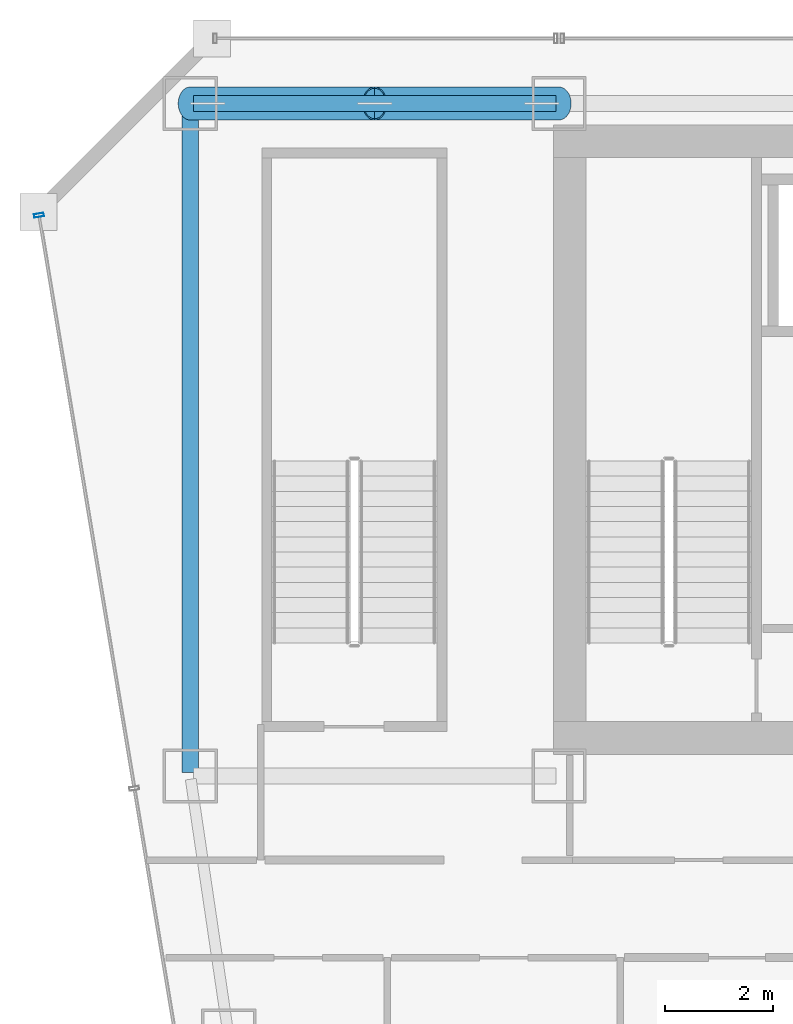
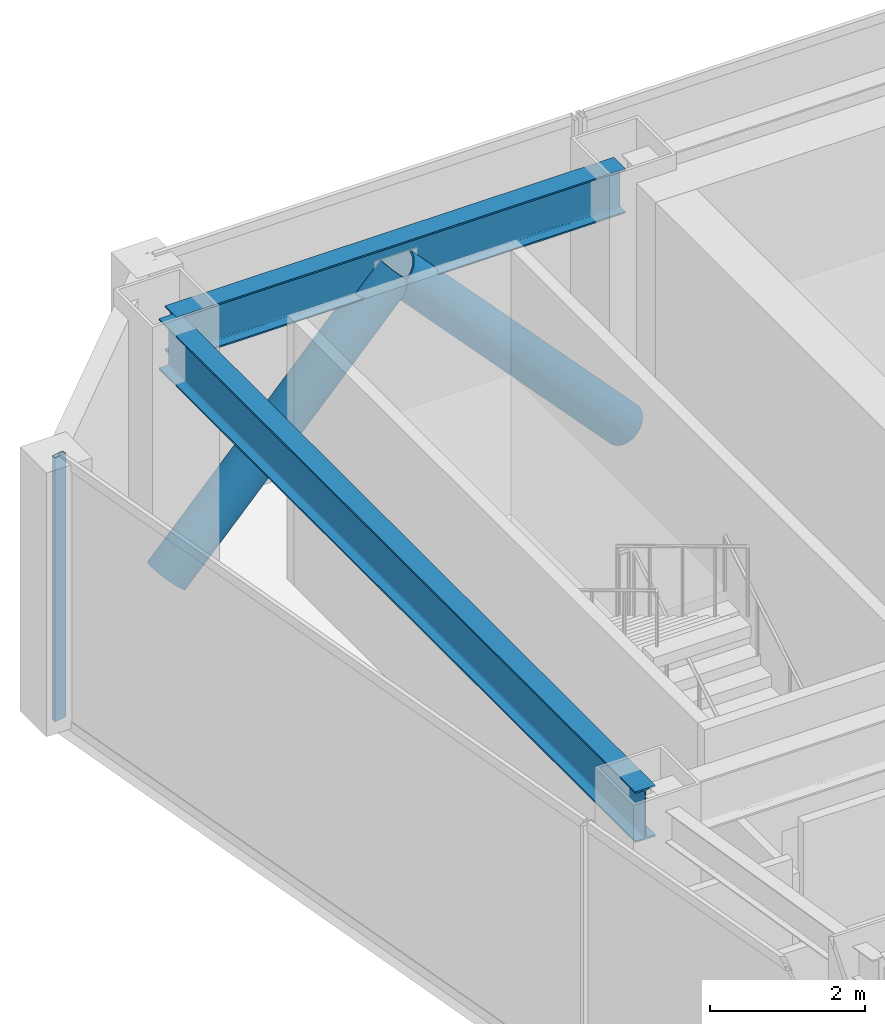
# One storey, part 21 of 37: 3 members, 2 beams, 1 element without a shape of its own.
"""IFC4 building model written with IfcOpenShell, lengths in metres."""

import ifcopenshell
import ifcopenshell.guid

model = None  # the IFC model being written
_history = None  # IfcOwnerHistory: only IFC2X3 demands one
_inside = {}  # id of a spatial element -> (the spatial element, [elements in it])
_under = {}  # id of a project, library or spatial element -> (it, [spatial elements below it])
_declared = {}  # id of a project -> (the project, [libraries it declares])
_typed = {}  # id of a type object -> (the type object, [elements of that type])
_made_of = {}  # id of a material, layer set ... -> (it, [elements and type objects made of it])


def new_model(schema):
    """Start an empty IFC model of exactly this schema.

    Asked for "IFC4X3", IfcOpenShell would pick the latest addendum, in which some entities
    have other attributes; the version numbers below select the first issue.
    IFC2X3 requires an IfcOwnerHistory on every rooted entity: one is made here for all.
    """
    global model, _history
    if schema == "IFC4X3":
        model = ifcopenshell.file(schema_version=(4, 3, 0, 0))
    else:
        model = ifcopenshell.file(schema=schema)
    _inside.clear()
    _under.clear()
    _declared.clear()
    _typed.clear()
    _made_of.clear()
    _history = None
    if model.schema == "IFC2X3":
        org = make("IfcOrganization", Name="unknown")
        user = make(
            "IfcPersonAndOrganization",
            ThePerson=make("IfcPerson", FamilyName="unknown"),
            TheOrganization=org,
        )
        app = make(
            "IfcApplication",
            ApplicationDeveloper=org,
            Version="unknown",
            ApplicationFullName="unknown",
            ApplicationIdentifier="unknown",
        )
        _history = make(
            "IfcOwnerHistory",
            OwningUser=user,
            OwningApplication=app,
            ChangeAction="ADDED",
            CreationDate=0,
        )
    return model


def make(cls, **values):
    """One entity of the class cls with the attributes given. An attribute that is None is left unset."""
    return model.create_entity(
        cls, **{name: value for name, value in values.items() if value is not None}
    )


def rooted(cls, **values):
    """An entity with a GlobalId (a new one), such as an element, a storey or a relation."""
    return make(cls, GlobalId=ifcopenshell.guid.new(), OwnerHistory=_history, **values)


def si_unit(unit_type, name, prefix=None):
    """IfcSIUnit, for example si_unit("LENGTHUNIT", "METRE", prefix="MILLI")."""
    return make("IfcSIUnit", UnitType=unit_type, Prefix=prefix, Name=name)


def assignment(units):
    """IfcUnitAssignment: the units of a project."""
    return None if units is None else make("IfcUnitAssignment", Units=units)


def point(xyz):
    """IfcCartesianPoint."""
    return None if xyz is None else make("IfcCartesianPoint", Coordinates=xyz)


def direction(xyz):
    """IfcDirection."""
    return None if xyz is None else make("IfcDirection", DirectionRatios=xyz)


def frame(location, z_axis=None, x_axis=None):
    """IfcAxis2Placement3D, a coordinate frame: its origin and axes. An axis left out is left unset."""
    return make(
        "IfcAxis2Placement3D",
        Location=point(location),
        Axis=direction(z_axis),
        RefDirection=direction(x_axis),
    )


def frame_2d(location, x_axis=None):
    """IfcAxis2Placement2D, a coordinate frame in the plane: its origin and x axis."""
    return make(
        "IfcAxis2Placement2D", Location=point(location), RefDirection=direction(x_axis)
    )


def origin():
    """The frame at (0, 0, 0) with its axes left unset."""
    return frame((0.0, 0.0, 0.0))


def origin_2d():
    """The frame at (0, 0) in the plane with its x axis left unset."""
    return frame_2d((0.0, 0.0))


def place(relative_to, where):
    """IfcLocalPlacement: puts the frame where relative to a parent placement (None: the world)."""
    return make(
        "IfcLocalPlacement", PlacementRelTo=relative_to, RelativePlacement=where
    )


def context(
    kind, dimensions, precision=None, world=None, true_north=None, identifier=None
):
    """IfcGeometricRepresentationContext, for example the 3D "Model" context."""
    return make(
        "IfcGeometricRepresentationContext",
        ContextIdentifier=identifier,
        ContextType=kind,
        CoordinateSpaceDimension=dimensions,
        Precision=precision,
        WorldCoordinateSystem=world,
        TrueNorth=true_north,
    )


def subcontext(parent, identifier, kind, view, scale=None):
    """IfcGeometricRepresentationSubContext, for example "Body" below "Model"."""
    return make(
        "IfcGeometricRepresentationSubContext",
        ContextIdentifier=identifier,
        ContextType=kind,
        ParentContext=parent,
        TargetScale=scale,
        TargetView=view,
    )


def project(units=None, contexts=None):
    """IfcProject with its units and contexts."""
    return rooted(
        "IfcProject",
        Name="project",
        RepresentationContexts=contexts,
        UnitsInContext=assignment(units),
    )


def spatial(cls, under=None, at=None, **own):
    """A site, building, storey or space (cls), placed at a placement, below another one or the project."""
    s = rooted(cls, ObjectPlacement=at, **own)
    if under is not None:
        _under.setdefault(under.id(), (under, []))[1].append(s)
    return s


def profile(cls, at=None, kind="AREA", **sizes):
    """A parametric profile (cls). Its sizes go by their IFC names, for example OverallWidth=200.0."""
    return make(cls, ProfileType=kind, Position=at, **sizes)


def hollow_rectangle(**sizes):
    """IfcRectangleHollowProfileDef."""
    return profile("IfcRectangleHollowProfileDef", **sizes)


def hollow_circle(**sizes):
    """IfcCircleHollowProfileDef."""
    return profile("IfcCircleHollowProfileDef", **sizes)


def i_section(**sizes):
    """IfcIShapeProfileDef."""
    return profile("IfcIShapeProfileDef", **sizes)


def extrude(swept, where, along, depth):
    """IfcExtrudedAreaSolid: the profile swept, set in the frame where, extruded along a direction by depth."""
    return make(
        "IfcExtrudedAreaSolid",
        SweptArea=swept,
        Position=where,
        ExtrudedDirection=direction(along),
        Depth=depth,
    )


def shape(context_of_items, identifier, shape_type, items):
    """IfcShapeRepresentation: the items that make up one representation, for example the "Body"."""
    return make(
        "IfcShapeRepresentation",
        ContextOfItems=context_of_items,
        RepresentationIdentifier=identifier,
        RepresentationType=shape_type,
        Items=items,
    )


def material(Name=None, Category=None):
    """IfcMaterial."""
    return make("IfcMaterial", Name=Name, Category=Category)


def material_profile(
    of_material, cross_section, Name=None, Category=None, Priority=None
):
    """IfcMaterialProfile: a cross section and its material."""
    return make(
        "IfcMaterialProfile",
        Name=Name,
        Material=of_material,
        Profile=cross_section,
        Priority=Priority,
        Category=Category,
    )


def profile_set(profiles, Name=None, composite=None):
    """IfcMaterialProfileSet."""
    return make(
        "IfcMaterialProfileSet",
        Name=Name,
        MaterialProfiles=profiles,
        CompositeProfile=composite,
    )


def made_of(thing, what):
    """Note that an element or type object is made of a material, layer set ...; save() writes the relation."""
    if what is not None:
        _made_of.setdefault(what.id(), (what, []))[1].append(thing)
    return thing


def type_object(cls, material=None, **own):
    """A type object (cls), such as IfcWallType, which elements share."""
    return made_of(rooted(cls, **own), material)


def element(
    cls,
    number,
    at=None,
    inside=None,
    cuts=None,
    type_object=None,
    material=None,
    context=None,
    identifier="Body",
    shape_type=None,
    held_by="IfcProductDefinitionShape",
    body=None,
    shapes=None,
    **own,
):
    """One element of the class cls, such as IfcWall. Its Tag is "e" and its number.

    at: its placement. inside: the storey or other place that contains it. cuts: it is an
    opening in that element (IfcRelVoidsElement). A single representation is given by context,
    identifier, shape_type and body (its items); several are given by shapes. held_by: the class
    of the entity that holds the representations. save() writes the other relations.
    """
    e = rooted(cls, Tag="e%d" % number, ObjectPlacement=at, **own)
    if body is not None:
        shapes = [shape(context, identifier, shape_type, body)]
    if shapes is not None:
        e.Representation = make(held_by, Representations=shapes)
    if inside is not None:
        _inside.setdefault(inside.id(), (inside, []))[1].append(e)
    if cuts is not None:
        rooted(
            "IfcRelVoidsElement", RelatingBuildingElement=cuts, RelatedOpeningElement=e
        )
    if type_object is not None:
        _typed.setdefault(type_object.id(), (type_object, []))[1].append(e)
    return made_of(e, material)


def aggregate(whole, parts):
    """IfcRelAggregates: a whole, such as a stair, and the parts it consists of."""
    return rooted("IfcRelAggregates", RelatingObject=whole, RelatedObjects=parts)


def save(model, path):
    """Write the relations noted so far, then the file.

    IfcRelAggregates (storeys below a building ...), IfcRelContainedInSpatialStructure (elements
    in a storey), IfcRelDefinesByType, IfcRelAssociatesMaterial and IfcRelDeclares: one each for
    every whole, place, type object, material and project.
    """
    for whole, parts in _under.values():
        aggregate(whole, parts)
    for where, things in _inside.values():
        rooted(
            "IfcRelContainedInSpatialStructure",
            RelatedElements=things,
            RelatingStructure=where,
        )
    for kind, things in _typed.values():
        rooted("IfcRelDefinesByType", RelatedObjects=things, RelatingType=kind)
    for what, things in _made_of.values():
        rooted("IfcRelAssociatesMaterial", RelatedObjects=things, RelatingMaterial=what)
    for by, libraries in _declared.values():
        rooted("IfcRelDeclares", RelatingContext=by, RelatedDefinitions=libraries)
    model.write(path)


model = new_model("IFC4")

# Units and contexts
model_context = context("Model", 3, precision=1e-05, world=origin(), true_north=direction((0.0, 1.0)))
body_context = subcontext(model_context, "Body", "Model", "MODEL_VIEW")
ifc_project = project(units=[si_unit("LENGTHUNIT", "METRE"), si_unit("AREAUNIT", "SQUARE_METRE"), si_unit("VOLUMEUNIT", "CUBIC_METRE"), si_unit("PLANEANGLEUNIT", "RADIAN"), si_unit("MASSUNIT", "GRAM", prefix="KILO")], contexts=[model_context])

# Site, building, storey
site_placement = place(None, origin())
site = spatial("IfcSite", under=ifc_project, at=site_placement, CompositionType="ELEMENT")
building_placement = place(site_placement, origin())
building = spatial("IfcBuilding", under=site, at=building_placement, Name="Saevonmaru Cultural Tower", CompositionType="ELEMENT")
storey_placement = place(building_placement, frame((0.0, 0.0, 114.800048828125)))
storey = spatial("IfcBuildingStorey", under=building, at=storey_placement, Name="L24", CompositionType="ELEMENT", Elevation=114.800048828125)

# Beams
ifc_material_1 = material(Name="Steel SM420", Category="steel")
ifc_material_profile_1 = material_profile(ifc_material_1, i_section(OverallWidth=0.300048828125, OverallDepth=0.800048828125, WebThickness=0.013916015625, FlangeThickness=0.02587890625, FilletRadius=0.028076171875, at=origin_2d()), Name="H-800x300x14x26")
ifc_profile_set_1 = profile_set([ifc_material_profile_1], Name="Steel SM420")
beam_type_1 = type_object("IfcBeamType", Name="BM-G-H800", PredefinedType="BEAM", material=ifc_profile_set_1)
beam_1_placement = place(storey_placement, frame((6.800048828125, 54.739990234375, 3.75), z_axis=(0.0, -1.0, 0.0), x_axis=(1.0, 0.0, 0.0)))
element("IfcBeam", 1, at=beam_1_placement, inside=storey, type_object=beam_type_1, Name="L24 Spine Transverse Girder W", PredefinedType="BEAM", context=body_context, shape_type="SweptSolid", body=[
    extrude(i_section(OverallWidth=0.300048828125, OverallDepth=0.800048828125, WebThickness=0.013916015625, FlangeThickness=0.02587890625, FilletRadius=0.028076171875, at=origin_2d()), origin(), (0.0, 0.0, 1.0), 12.280029296875),
])
ifc_material_2 = material(Name="Steel SM355", Category="steel")
ifc_material_profile_2 = material_profile(ifc_material_2, i_section(OverallWidth=0.300048828125, OverallDepth=0.699951171875, WebThickness=0.012939453125, FlangeThickness=0.02392578125, FilletRadius=0.02587890625, at=origin_2d()), Name="H-700x300x13x24")
ifc_profile_set_2 = profile_set([ifc_material_profile_2], Name="Steel SM355")
beam_type_2 = type_object("IfcBeamType", Name="BM-SP-H700", PredefinedType="SPANDREL", material=ifc_profile_set_2)
beam_2_placement = place(storey_placement, frame((6.860107421875, 54.800048828125, 3.800048828125), z_axis=(1.0, 0.0, 0.0), x_axis=(0.0, 1.0, 0.0)))
element("IfcBeam", 2, at=beam_2_placement, inside=storey, type_object=beam_type_2, Name="L24 North Spine Girder 1", PredefinedType="SPANDREL", context=body_context, shape_type="SweptSolid", body=[
    extrude(i_section(OverallWidth=0.300048828125, OverallDepth=0.699951171875, WebThickness=0.012939453125, FlangeThickness=0.02392578125, FilletRadius=0.02587890625, at=origin_2d()), origin(), (0.0, 0.0, 1.0), 6.679931640625),
])

# Members
ifc_material_3 = material(Name="Steel HSA600 (600 MPa)", Category="steel")
ifc_material_profile_3 = material_profile(ifc_material_3, hollow_circle(Radius=0.3046875, WallThickness=0.02490234375, at=origin_2d()), Name="CHS-609.6x25")
ifc_profile_set_3 = profile_set([ifc_material_profile_3], Name="Steel HSA600 (600 MPa)")
member_type_1 = type_object("IfcMemberType", Name="MB-PBR-CHS610", PredefinedType="BRACE", material=ifc_profile_set_3)
member_1_placement = place(storey_placement, frame((6.800048828125, 54.800048828125, 0.02001953125), z_axis=(0.681602937137, 0.0, 0.73172223971), x_axis=(0.0, 1.0, 0.0)))
element("IfcMember", 3, at=member_1_placement, inside=storey, type_object=member_type_1, Name="L24 Perimeter Braced-Tube Diagonal WN1", PredefinedType="BRACE", context=body_context, shape_type="SweptSolid", body=[
    extrude(hollow_circle(Radius=0.3046875, WallThickness=0.02490234375, at=origin_2d()), origin(), (0.0, 0.0, 1.0), 4.988037109375),
])
member_2_placement = place(storey_placement, frame((13.60009765625, 54.800048828125, 0.02001953125), z_axis=(-0.681629141635, 0.0, 0.731697829212), x_axis=(0.0, -1.0, 0.0)))
element("IfcMember", 4, at=member_2_placement, inside=storey, type_object=member_type_1, Name="L24 Perimeter Braced-Tube Diagonal WN2", PredefinedType="BRACE", context=body_context, shape_type="SweptSolid", body=[
    extrude(hollow_circle(Radius=0.3046875, WallThickness=0.02490234375, at=origin_2d()), origin(), (0.0, 0.0, 1.0), 4.98828125),
])

# Curtain wall, member
ifc_material_4 = material(Name="Satin Bronze Anodised Aluminium", Category="aluminium")
curtain_wall_type = type_object("IfcCurtainWallType", Name="CW-TYP-A", PredefinedType="NOTDEFINED", material=ifc_material_4)
curtain_wall_placement = place(storey_placement, origin())
curtain_wall = element("IfcCurtainWall", 5, at=curtain_wall_placement, inside=storey, type_object=curtain_wall_type, Name="L24 Unitised Curtain Wall E12", PredefinedType="NOTDEFINED")
ifc_material_profile_4 = material_profile(ifc_material_4, hollow_rectangle(XDim=0.06494140625, YDim=0.179931640625, WallThickness=0.00390625, at=origin_2d()), Name="ALU-MULL-180x65x4")
ifc_profile_set_4 = profile_set([ifc_material_profile_4], Name="Satin Bronze Anodised Aluminium")
member_type_2 = type_object("IfcMemberType", Name="ML-CW-180x65", PredefinedType="MULLION", material=ifc_profile_set_4)
member_3_placement = place(storey_placement, frame((4.009765625, 52.74072265625, 0.0), z_axis=(0.0, 0.0, 1.0), x_axis=(0.163998702345, -0.986460554523, 0.0)))
member_3 = element("IfcMember", 6, at=member_3_placement, type_object=member_type_2, Name="CW-TW-L24-E12 mullion 1", PredefinedType="MULLION", context=body_context, shape_type="SweptSolid", body=[
    extrude(hollow_rectangle(XDim=0.06494140625, YDim=0.179931640625, WallThickness=0.00390625, at=origin_2d()), origin(), (0.0, 0.0, 1.0), 4.14990234375),
])
aggregate(curtain_wall, [member_3])

save(model, "model.ifc")
